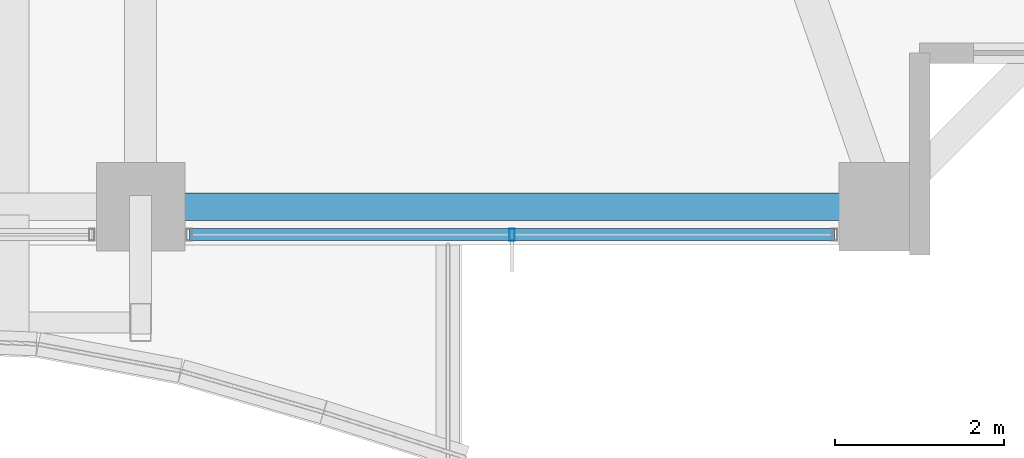
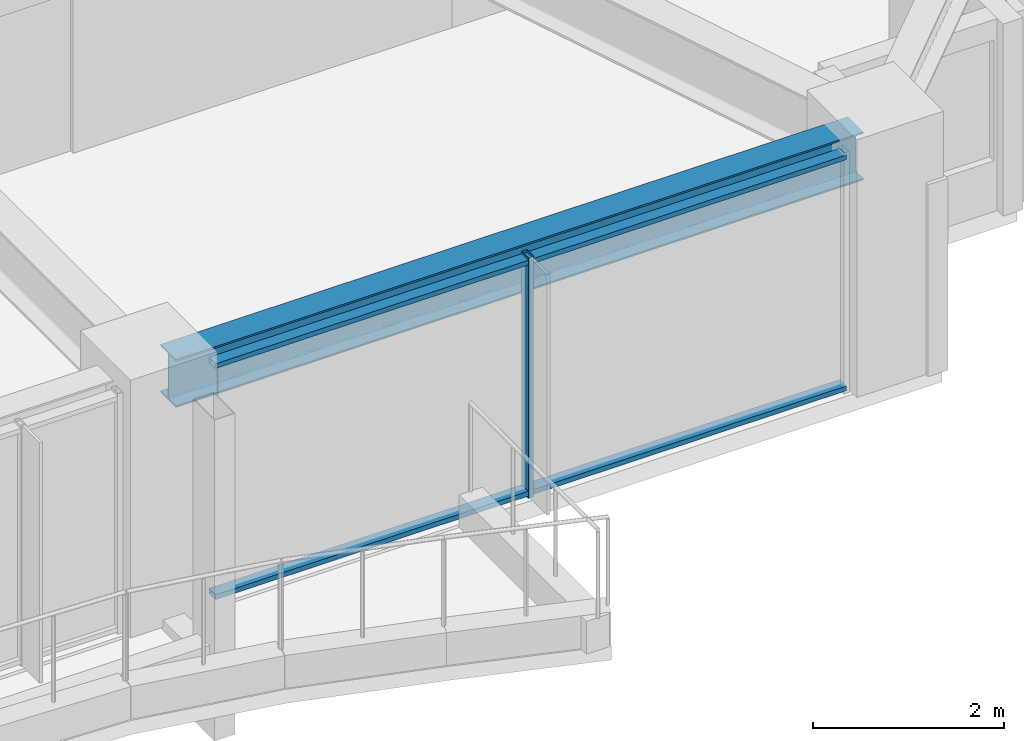
# One storey, part 6 of 38: 3 members, 1 beam, 1 element without a shape of its own.
"""IFC4 building model written with IfcOpenShell, lengths in metres."""

from ifc_helpers import new_model, si_unit, direction, frame, origin, origin_2d, place, context, subcontext, project, spatial, hollow_rectangle, i_section, extrude, material, material_profile, profile_set, type_object, element, aggregate, save


model = new_model("IFC4")

# Units and contexts
model_context = context("Model", 3, precision=1e-05, world=origin(), true_north=direction((0.0, 1.0)))
body_context = subcontext(model_context, "Body", "Model", "MODEL_VIEW")
ifc_project = project(units=[si_unit("LENGTHUNIT", "METRE"), si_unit("AREAUNIT", "SQUARE_METRE"), si_unit("VOLUMEUNIT", "CUBIC_METRE"), si_unit("PLANEANGLEUNIT", "RADIAN"), si_unit("MASSUNIT", "GRAM", prefix="KILO")], contexts=[model_context])

# Site, building, storey
site_placement = place(None, origin())
site = spatial("IfcSite", under=ifc_project, at=site_placement, CompositionType="ELEMENT")
building_placement = place(site_placement, origin())
building = spatial("IfcBuilding", under=site, at=building_placement, Name="Kolvaren Belvedere", CompositionType="ELEMENT")
storey_placement = place(building_placement, frame((0.0, 0.0, 72.199951171875)))
storey = spatial("IfcBuildingStorey", under=building, at=storey_placement, Name="L20", CompositionType="ELEMENT", Elevation=72.199951171875)

# Beam
ifc_material_1 = material(Name="Structural steel ASTM A992 Grade 50", Category="steel")
ifc_material_profile_1 = material_profile(ifc_material_1, i_section(OverallWidth=0.324951171875, OverallDepth=0.615966796875, WebThickness=0.013916015625, FlangeThickness=0.021484375, FilletRadius=0.02001953125, at=origin_2d()), Name="W24X117")
ifc_profile_set_1 = profile_set([ifc_material_profile_1], Name="Structural steel ASTM A992 Grade 50")
beam_type = type_object("IfcBeamType", Name="BM-SPAN-W24X117", PredefinedType="SPANDREL", material=ifc_profile_set_1)
beam_placement = place(storey_placement, frame((4.836181640625, -19.949951171875, 2.77197265625), z_axis=(1.0, 0.0, 0.0), x_axis=(0.0, 1.0, 0.0)))
element("IfcBeam", 1, at=beam_placement, inside=storey, type_object=beam_type, Name="L20 Perimeter Spandrel S3-S4", PredefinedType="SPANDREL", context=body_context, shape_type="SweptSolid", body=[
    extrude(i_section(OverallWidth=0.324951171875, OverallDepth=0.615966796875, WebThickness=0.013916015625, FlangeThickness=0.021484375, FilletRadius=0.02001953125, at=origin_2d()), origin(), (0.0, 0.0, 1.0), 8.32763671875),
])

# Curtain wall, members
ifc_material_2 = material(Name="Anodised pale-metal aluminium AA 6063-T6", Category="aluminium")
curtain_wall_type = type_object("IfcCurtainWallType", Name="CW-Z2-MID", PredefinedType="NOTDEFINED", material=ifc_material_2)
curtain_wall_placement = place(storey_placement, origin())
curtain_wall = element("IfcCurtainWall", 2, at=curtain_wall_placement, inside=storey, type_object=curtain_wall_type, Name="L20 Unitised Curtain Wall FCW-L20-S1-B1", PredefinedType="NOTDEFINED")
ifc_material_3 = material(Name="Anodised pale-metal aluminium AA 6063-T6", Category="aluminium")
ifc_material_profile_2 = material_profile(ifc_material_3, hollow_rectangle(XDim=0.06494140625, YDim=0.139892578125, WallThickness=0.00390625, at=origin_2d()), Name="ALU-MUL-140X65")
ifc_profile_set_2 = profile_set([ifc_material_profile_2], Name="Anodised pale-metal aluminium AA 6063-T6")
member_type_1 = type_object("IfcMemberType", Name="CW-MUL-140", PredefinedType="MULLION", material=ifc_profile_set_2)
member_1_placement = place(storey_placement, frame((9.0, -20.280029296875, 0.0), z_axis=(0.0, 0.0, 1.0), x_axis=(1.0, 0.0, 0.0)))
member_1 = element("IfcMember", 3, at=member_1_placement, type_object=member_type_1, Name="FCW-L20-S1-B1 Unitised Mullion 2", PredefinedType="MULLION", context=body_context, shape_type="SweptSolid", body=[
    extrude(hollow_rectangle(XDim=0.06494140625, YDim=0.139892578125, WallThickness=0.00390625, at=origin_2d()), origin(), (0.0, 0.0, 1.0), 3.080078125),
])
ifc_material_4 = material(Name="Anodised pale-metal aluminium AA 6063-T6", Category="aluminium")
ifc_material_profile_3 = material_profile(ifc_material_4, hollow_rectangle(XDim=0.06005859375, YDim=0.139892578125, WallThickness=0.00390625, at=origin_2d()), Name="ALU-TRN-140X60")
ifc_profile_set_3 = profile_set([ifc_material_profile_3], Name="Anodised pale-metal aluminium AA 6063-T6")
member_type_2 = type_object("IfcMemberType", Name="CW-TRN-140", PredefinedType="USERDEFINED", material=ifc_profile_set_3)
member_2_placement = place(storey_placement, frame((12.822509765625, -20.280029296875, 0.06005859375), z_axis=(-1.0, 0.0, 0.0), x_axis=(0.0, 0.0, 1.0)))
member_2 = element("IfcMember", 4, at=member_2_placement, type_object=member_type_2, Name="FCW-L20-S1-B1 Sill Transom", ObjectType="TRANSOM", PredefinedType="USERDEFINED", context=body_context, shape_type="SweptSolid", body=[
    extrude(hollow_rectangle(XDim=0.06005859375, YDim=0.139892578125, WallThickness=0.00390625, at=origin_2d()), origin(), (0.0, 0.0, 1.0), 7.64501953125),
])
member_3_placement = place(storey_placement, frame((12.822509765625, -20.280029296875, 3.02001953125), z_axis=(-1.0, 0.0, 0.0), x_axis=(0.0, 0.0, 1.0)))
member_3 = element("IfcMember", 5, at=member_3_placement, type_object=member_type_2, Name="FCW-L20-S1-B1 Head Transom", ObjectType="TRANSOM", PredefinedType="USERDEFINED", context=body_context, shape_type="SweptSolid", body=[
    extrude(hollow_rectangle(XDim=0.06005859375, YDim=0.139892578125, WallThickness=0.00390625, at=origin_2d()), origin(), (0.0, 0.0, 1.0), 7.64501953125),
])
aggregate(curtain_wall, [member_1, member_2, member_3])

save(model, "model.ifc")
